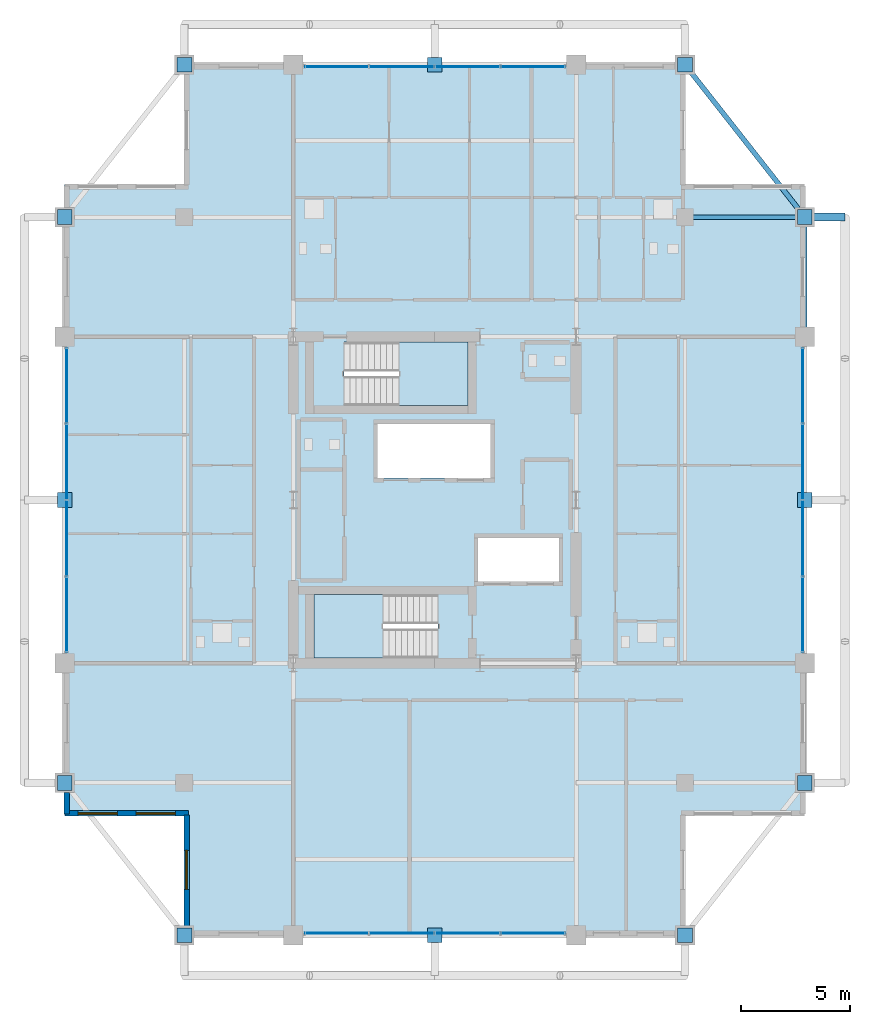
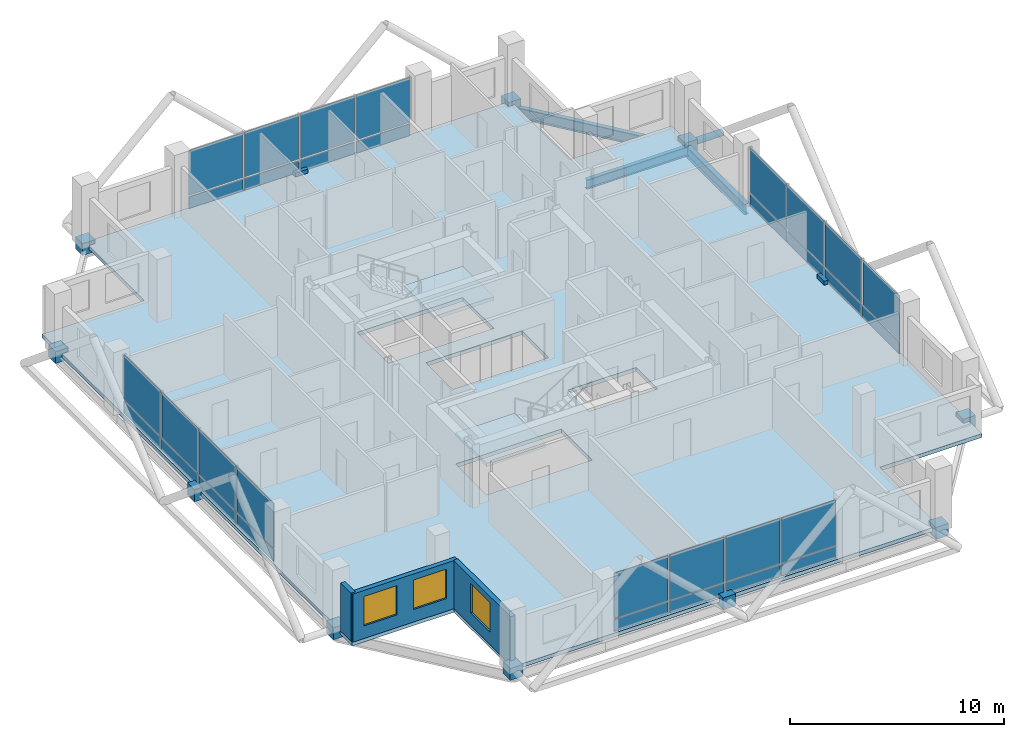
# One storey, part 18 of 24: 44 plates, 3 beams, 3 slabs, 3 walls, 3 windows, 1 member, 3 openings, 6 elements without a shape of their own.
"""IFC4 building model written with IfcOpenShell, lengths in metres."""

from ifc_helpers import new_model, si_unit, direction, frame, frame_2d, origin, origin_2d, place, context, subcontext, project, spatial, polyline, rectangle, hollow_circle, i_section, outline, extrude, material, layer, layer_set, material_profile, profile_set, type_object, element, fill, aggregate, save


model = new_model("IFC4")

# Units and contexts
model_context = context("Model", 3, precision=1e-05, world=origin(), true_north=direction((0.0, 1.0)))
body_context = subcontext(model_context, "Body", "Model", "MODEL_VIEW")
ifc_project = project(units=[si_unit("LENGTHUNIT", "METRE"), si_unit("AREAUNIT", "SQUARE_METRE"), si_unit("VOLUMEUNIT", "CUBIC_METRE"), si_unit("PLANEANGLEUNIT", "RADIAN"), si_unit("MASSUNIT", "GRAM", prefix="KILO")], contexts=[model_context])

# Site, building, storey
site_placement = place(None, origin())
site = spatial("IfcSite", under=ifc_project, at=site_placement, CompositionType="ELEMENT")
building_placement = place(site_placement, origin())
building = spatial("IfcBuilding", under=site, at=building_placement, Name="Barlavira Tower and Art Museum", CompositionType="ELEMENT")
storey_placement = place(building_placement, frame((0.0, 0.0, 251.10009765625)))
storey = spatial("IfcBuildingStorey", under=building, at=storey_placement, Name="L65", CompositionType="ELEMENT", Elevation=251.10009765625)

# Member
ifc_material_1 = material(Name="Steel S355", Category="steel")
ifc_material_profile_1 = material_profile(ifc_material_1, hollow_circle(Radius=0.177734375, WallThickness=0.01611328125, at=origin_2d()), Name="CHS 355.6x16.0")
ifc_profile_set_1 = profile_set([ifc_material_profile_1], Name="Steel S355")
member_type = type_object("IfcMemberType", Name="Pale-Metal Exoskeleton Tie Strut CHS 356x16 Steel S355", PredefinedType="STRUT", material=ifc_profile_set_1)
member_placement = place(storey_placement, frame((18.85009765625, 13.0, -0.1201171875), z_axis=(-1.0, 0.0, 0.0), x_axis=(0.0, -1.0, 0.0)))
element("IfcMember", 1, at=member_placement, inside=storey, type_object=member_type, Name="L65 Exoskeleton Tie Strut E3", PredefinedType="STRUT", context=body_context, shape_type="SweptSolid", body=[
    extrude(hollow_circle(Radius=0.177734375, WallThickness=0.01611328125, at=origin_2d()), origin(), (0.0, 0.0, 1.0), 1.85009765625),
])

# Beams
ifc_material_profile_2 = material_profile(ifc_material_1, i_section(OverallWidth=0.22998046875, OverallDepth=0.616943359375, WebThickness=0.01318359375, FlangeThickness=0.022216796875, at=origin_2d()), Name="W610x140.0")
ifc_profile_set_2 = profile_set([ifc_material_profile_2], Name="Steel S355")
beam_type_1 = type_object("IfcBeamType", Name="Upper Shaft Spandrel Edge Beam W610x140 Steel S355", PredefinedType="SPANDREL", material=ifc_profile_set_2)
beam_1_placement = place(storey_placement, frame((17.0, 7.5, -0.528564453125), z_axis=(0.0, 1.0, 0.0), x_axis=(-1.0, 0.0, 0.0)))
element("IfcBeam", 2, at=beam_1_placement, inside=storey, type_object=beam_type_1, Name="L65 Spandrel 7", PredefinedType="SPANDREL", context=body_context, shape_type="SweptSolid", body=[
    extrude(i_section(OverallWidth=0.22998046875, OverallDepth=0.616943359375, WebThickness=0.01318359375, FlangeThickness=0.022216796875, at=origin_2d()), origin(), (0.0, 0.0, 1.0), 5.5),
])
beam_2_placement = place(storey_placement, frame((17.0, 13.0, -0.528564453125), z_axis=(-0.617821551932, 0.786318338822, 0.0), x_axis=(-0.786318338822, -0.617821551932, 0.0)))
element("IfcBeam", 3, at=beam_2_placement, inside=storey, type_object=beam_type_1, Name="L65 Spandrel 8", PredefinedType="SPANDREL", context=body_context, shape_type="SweptSolid", body=[
    extrude(i_section(OverallWidth=0.22998046875, OverallDepth=0.616943359375, WebThickness=0.01318359375, FlangeThickness=0.022216796875, at=origin_2d()), origin(), (0.0, 0.0, 1.0), 8.90234375),
])
ifc_material_profile_3 = material_profile(ifc_material_1, i_section(OverallWidth=0.2109375, OverallDepth=0.5390625, WebThickness=0.01171875, FlangeThickness=0.018798828125, at=origin_2d()), Name="W530x109.0")
ifc_profile_set_3 = profile_set([ifc_material_profile_3], Name="Steel S355")
beam_type_2 = type_object("IfcBeamType", Name="Zone 3-4 Primary Floor Girder W530x109 Steel S355", PredefinedType="BEAM", material=ifc_profile_set_3)
beam_3_placement = place(storey_placement, frame((11.5, 13.0, -0.489501953125), z_axis=(1.0, 0.0, 0.0), x_axis=(0.0, 1.0, 0.0)))
element("IfcBeam", 4, at=beam_3_placement, inside=storey, type_object=beam_type_2, Name="L65 Girder I-N4", PredefinedType="BEAM", context=body_context, shape_type="SweptSolid", body=[
    extrude(i_section(OverallWidth=0.2109375, OverallDepth=0.5390625, WebThickness=0.01171875, FlangeThickness=0.018798828125, at=origin_2d()), origin(), (0.0, 0.0, 1.0), 5.5),
])

# Curtain wall, plates
ifc_material_2 = material(Name="Low-iron coastal laminated glass", Category="glass")
ifc_layer_1 = layer(ifc_material_2, 0.2099609375, Name="Low-iron coastal laminated glass")
ifc_layer_set_1 = layer_set([ifc_layer_1], Name="Low-iron coastal laminated glass")
curtain_wall_type = type_object("IfcCurtainWallType", Name="Pale-Metal Unitised Curtain Wall Zone 4", PredefinedType="NOTDEFINED", material=ifc_layer_set_1)
curtain_wall_1_placement = place(storey_placement, origin())
curtain_wall_1 = element("IfcCurtainWall", 5, at=curtain_wall_1_placement, inside=storey, type_object=curtain_wall_type, Name="L65 Curtain Wall CW4-L65-S-B2", PredefinedType="NOTDEFINED")
ifc_material_3 = material(Name="Pale anodised aluminium", Category="aluminium")
ifc_layer_2 = layer(ifc_material_3, 0.044921875, Name="Pale anodised aluminium")
ifc_layer_set_2 = layer_set([ifc_layer_2], Name="Pale anodised aluminium")
plate_type_1 = type_object("IfcPlateType", Name="Curtain Wall Pale-Metal Spandrel Panel 45", PredefinedType="CURTAIN_PANEL", material=ifc_layer_set_2)
plate_1_placement = place(storey_placement, frame((-4.5224609375, -19.89990234375, 0.039794921875), z_axis=(0.0, 0.0, 1.0), x_axis=(1.0, 0.0, 0.0)))
plate_1 = element("IfcPlate", 6, at=plate_1_placement, type_object=plate_type_1, Name="CW4-L65-S-B2 Spandrel Panel 0", PredefinedType="CURTAIN_PANEL", context=body_context, shape_type="SweptSolid", body=[
    extrude(rectangle(XDim=2.9150390625, YDim=0.044921875, at=origin_2d()), origin(), (0.0, 0.0, 1.0), 0.6640625),
])
plate_2_placement = place(storey_placement, frame((-1.507568359375, -19.89990234375, 0.039794921875), z_axis=(0.0, 0.0, 1.0), x_axis=(1.0, 0.0, 0.0)))
plate_2 = element("IfcPlate", 7, at=plate_2_placement, type_object=plate_type_1, Name="CW4-L65-S-B2 Spandrel Panel 1", PredefinedType="CURTAIN_PANEL", context=body_context, shape_type="SweptSolid", body=[
    extrude(rectangle(XDim=2.9150390625, YDim=0.044921875, at=origin_2d()), origin(), (0.0, 0.0, 1.0), 0.6640625),
])
plate_3_placement = place(storey_placement, frame((1.507568359375, -19.89990234375, 0.039794921875), z_axis=(0.0, 0.0, 1.0), x_axis=(1.0, 0.0, 0.0)))
plate_3 = element("IfcPlate", 8, at=plate_3_placement, type_object=plate_type_1, Name="CW4-L65-S-B2 Spandrel Panel 2", PredefinedType="CURTAIN_PANEL", context=body_context, shape_type="SweptSolid", body=[
    extrude(rectangle(XDim=2.9150390625, YDim=0.044921875, at=origin_2d()), origin(), (0.0, 0.0, 1.0), 0.6640625),
])
plate_4_placement = place(storey_placement, frame((4.5224609375, -19.89990234375, 0.039794921875), z_axis=(0.0, 0.0, 1.0), x_axis=(1.0, 0.0, 0.0)))
plate_4 = element("IfcPlate", 9, at=plate_4_placement, type_object=plate_type_1, Name="CW4-L65-S-B2 Spandrel Panel 3", PredefinedType="CURTAIN_PANEL", context=body_context, shape_type="SweptSolid", body=[
    extrude(rectangle(XDim=2.9150390625, YDim=0.044921875, at=origin_2d()), origin(), (0.0, 0.0, 1.0), 0.6640625),
])

curtain_wall_2_placement = place(storey_placement, origin())
curtain_wall_2 = element("IfcCurtainWall", 10, at=curtain_wall_2_placement, inside=storey, type_object=curtain_wall_type, Name="L65 Curtain Wall CW4-L65-N-B2", PredefinedType="NOTDEFINED")
plate_5_placement = place(storey_placement, frame((4.5224609375, 19.89990234375, 0.039794921875), z_axis=(0.0, 0.0, 1.0), x_axis=(-1.0, 0.0, 0.0)))
plate_5 = element("IfcPlate", 11, at=plate_5_placement, type_object=plate_type_1, Name="CW4-L65-N-B2 Spandrel Panel 0", PredefinedType="CURTAIN_PANEL", context=body_context, shape_type="SweptSolid", body=[
    extrude(rectangle(XDim=2.9150390625, YDim=0.044921875, at=origin_2d()), origin(), (0.0, 0.0, 1.0), 0.6640625),
])
plate_6_placement = place(storey_placement, frame((1.507568359375, 19.89990234375, 0.039794921875), z_axis=(0.0, 0.0, 1.0), x_axis=(-1.0, 0.0, 0.0)))
plate_6 = element("IfcPlate", 12, at=plate_6_placement, type_object=plate_type_1, Name="CW4-L65-N-B2 Spandrel Panel 1", PredefinedType="CURTAIN_PANEL", context=body_context, shape_type="SweptSolid", body=[
    extrude(rectangle(XDim=2.9150390625, YDim=0.044921875, at=origin_2d()), origin(), (0.0, 0.0, 1.0), 0.6640625),
])
plate_7_placement = place(storey_placement, frame((-1.507568359375, 19.89990234375, 0.039794921875), z_axis=(0.0, 0.0, 1.0), x_axis=(-1.0, 0.0, 0.0)))
plate_7 = element("IfcPlate", 13, at=plate_7_placement, type_object=plate_type_1, Name="CW4-L65-N-B2 Spandrel Panel 2", PredefinedType="CURTAIN_PANEL", context=body_context, shape_type="SweptSolid", body=[
    extrude(rectangle(XDim=2.9150390625, YDim=0.044921875, at=origin_2d()), origin(), (0.0, 0.0, 1.0), 0.6640625),
])
plate_8_placement = place(storey_placement, frame((-4.5224609375, 19.89990234375, 0.039794921875), z_axis=(0.0, 0.0, 1.0), x_axis=(-1.0, 0.0, 0.0)))
plate_8 = element("IfcPlate", 14, at=plate_8_placement, type_object=plate_type_1, Name="CW4-L65-N-B2 Spandrel Panel 3", PredefinedType="CURTAIN_PANEL", context=body_context, shape_type="SweptSolid", body=[
    extrude(rectangle(XDim=2.9150390625, YDim=0.044921875, at=origin_2d()), origin(), (0.0, 0.0, 1.0), 0.6640625),
])

curtain_wall_3_placement = place(storey_placement, origin())
curtain_wall_3 = element("IfcCurtainWall", 15, at=curtain_wall_3_placement, inside=storey, type_object=curtain_wall_type, Name="L65 Curtain Wall CW4-L65-W-B3", PredefinedType="NOTDEFINED")
plate_9_placement = place(storey_placement, frame((-16.89990234375, 5.2724609375, 0.039794921875), z_axis=(0.0, 0.0, 1.0), x_axis=(0.0, -1.0, 0.0)))
plate_9 = element("IfcPlate", 16, at=plate_9_placement, type_object=plate_type_1, Name="CW4-L65-W-B3 Spandrel Panel 0", PredefinedType="CURTAIN_PANEL", context=body_context, shape_type="SweptSolid", body=[
    extrude(rectangle(XDim=3.4150390625, YDim=0.044921875, at=origin_2d()), origin(), (0.0, 0.0, 1.0), 0.6640625),
])
plate_10_placement = place(storey_placement, frame((-16.89990234375, 1.757568359375, 0.039794921875), z_axis=(0.0, 0.0, 1.0), x_axis=(0.0, -1.0, 0.0)))
plate_10 = element("IfcPlate", 17, at=plate_10_placement, type_object=plate_type_1, Name="CW4-L65-W-B3 Spandrel Panel 1", PredefinedType="CURTAIN_PANEL", context=body_context, shape_type="SweptSolid", body=[
    extrude(rectangle(XDim=3.4150390625, YDim=0.044921875, at=origin_2d()), origin(), (0.0, 0.0, 1.0), 0.6640625),
])
plate_11_placement = place(storey_placement, frame((-16.89990234375, -1.757568359375, 0.039794921875), z_axis=(0.0, 0.0, 1.0), x_axis=(0.0, -1.0, 0.0)))
plate_11 = element("IfcPlate", 18, at=plate_11_placement, type_object=plate_type_1, Name="CW4-L65-W-B3 Spandrel Panel 2", PredefinedType="CURTAIN_PANEL", context=body_context, shape_type="SweptSolid", body=[
    extrude(rectangle(XDim=3.4150390625, YDim=0.044921875, at=origin_2d()), origin(), (0.0, 0.0, 1.0), 0.6640625),
])
plate_12_placement = place(storey_placement, frame((-16.89990234375, -5.2724609375, 0.039794921875), z_axis=(0.0, 0.0, 1.0), x_axis=(0.0, -1.0, 0.0)))
plate_12 = element("IfcPlate", 19, at=plate_12_placement, type_object=plate_type_1, Name="CW4-L65-W-B3 Spandrel Panel 3", PredefinedType="CURTAIN_PANEL", context=body_context, shape_type="SweptSolid", body=[
    extrude(rectangle(XDim=3.4150390625, YDim=0.044921875, at=origin_2d()), origin(), (0.0, 0.0, 1.0), 0.6640625),
])

curtain_wall_4_placement = place(storey_placement, origin())
curtain_wall_4 = element("IfcCurtainWall", 20, at=curtain_wall_4_placement, inside=storey, type_object=curtain_wall_type, Name="L65 Curtain Wall CW4-L65-E-B3", PredefinedType="NOTDEFINED")
plate_13_placement = place(storey_placement, frame((16.89990234375, -5.2724609375, 0.039794921875), z_axis=(0.0, 0.0, 1.0), x_axis=(0.0, 1.0, 0.0)))
plate_13 = element("IfcPlate", 21, at=plate_13_placement, type_object=plate_type_1, Name="CW4-L65-E-B3 Spandrel Panel 0", PredefinedType="CURTAIN_PANEL", context=body_context, shape_type="SweptSolid", body=[
    extrude(rectangle(XDim=3.4150390625, YDim=0.044921875, at=origin_2d()), origin(), (0.0, 0.0, 1.0), 0.6640625),
])
plate_14_placement = place(storey_placement, frame((16.89990234375, -1.757568359375, 0.039794921875), z_axis=(0.0, 0.0, 1.0), x_axis=(0.0, 1.0, 0.0)))
plate_14 = element("IfcPlate", 22, at=plate_14_placement, type_object=plate_type_1, Name="CW4-L65-E-B3 Spandrel Panel 1", PredefinedType="CURTAIN_PANEL", context=body_context, shape_type="SweptSolid", body=[
    extrude(rectangle(XDim=3.4150390625, YDim=0.044921875, at=origin_2d()), origin(), (0.0, 0.0, 1.0), 0.6640625),
])
plate_15_placement = place(storey_placement, frame((16.89990234375, 1.757568359375, 0.039794921875), z_axis=(0.0, 0.0, 1.0), x_axis=(0.0, 1.0, 0.0)))
plate_15 = element("IfcPlate", 23, at=plate_15_placement, type_object=plate_type_1, Name="CW4-L65-E-B3 Spandrel Panel 2", PredefinedType="CURTAIN_PANEL", context=body_context, shape_type="SweptSolid", body=[
    extrude(rectangle(XDim=3.4150390625, YDim=0.044921875, at=origin_2d()), origin(), (0.0, 0.0, 1.0), 0.6640625),
])
plate_16_placement = place(storey_placement, frame((16.89990234375, 5.2724609375, 0.039794921875), z_axis=(0.0, 0.0, 1.0), x_axis=(0.0, 1.0, 0.0)))
plate_16 = element("IfcPlate", 24, at=plate_16_placement, type_object=plate_type_1, Name="CW4-L65-E-B3 Spandrel Panel 3", PredefinedType="CURTAIN_PANEL", context=body_context, shape_type="SweptSolid", body=[
    extrude(rectangle(XDim=3.4150390625, YDim=0.044921875, at=origin_2d()), origin(), (0.0, 0.0, 1.0), 0.6640625),
])

# Plate
ifc_layer_3 = layer(ifc_material_2, 0.028076171875, Name="Low-iron coastal laminated glass")
ifc_layer_set_3 = layer_set([ifc_layer_3], Name="Low-iron coastal laminated glass")
plate_type_2 = type_object("IfcPlateType", Name="Curtain Wall Vision Glazing Panel 28", PredefinedType="CURTAIN_PANEL", material=ifc_layer_set_3)
plate_17_placement = place(storey_placement, frame((-4.5224609375, -19.89990234375, 0.7841796875), z_axis=(0.0, 0.0, 1.0), x_axis=(1.0, 0.0, 0.0)))
plate_17 = element("IfcPlate", 25, at=plate_17_placement, type_object=plate_type_2, Name="CW4-L65-S-B2 Vision Glass Panel 0", PredefinedType="CURTAIN_PANEL", context=body_context, shape_type="SweptSolid", body=[
    extrude(rectangle(XDim=2.9150390625, YDim=0.028076171875, at=origin_2d()), origin(), (0.0, 0.0, 1.0), 2.555908203125),
])

plate_18_placement = place(storey_placement, frame((-1.507568359375, -19.89990234375, 0.7841796875), z_axis=(0.0, 0.0, 1.0), x_axis=(1.0, 0.0, 0.0)))
plate_18 = element("IfcPlate", 26, at=plate_18_placement, type_object=plate_type_2, Name="CW4-L65-S-B2 Vision Glass Panel 1", PredefinedType="CURTAIN_PANEL", context=body_context, shape_type="SweptSolid", body=[
    extrude(rectangle(XDim=2.9150390625, YDim=0.028076171875, at=origin_2d()), origin(), (0.0, 0.0, 1.0), 2.555908203125),
])

plate_19_placement = place(storey_placement, frame((1.507568359375, -19.89990234375, 0.7841796875), z_axis=(0.0, 0.0, 1.0), x_axis=(1.0, 0.0, 0.0)))
plate_19 = element("IfcPlate", 27, at=plate_19_placement, type_object=plate_type_2, Name="CW4-L65-S-B2 Vision Glass Panel 2", PredefinedType="CURTAIN_PANEL", context=body_context, shape_type="SweptSolid", body=[
    extrude(rectangle(XDim=2.9150390625, YDim=0.028076171875, at=origin_2d()), origin(), (0.0, 0.0, 1.0), 2.555908203125),
])

plate_20_placement = place(storey_placement, frame((4.5224609375, -19.89990234375, 0.7841796875), z_axis=(0.0, 0.0, 1.0), x_axis=(1.0, 0.0, 0.0)))
plate_20 = element("IfcPlate", 28, at=plate_20_placement, type_object=plate_type_2, Name="CW4-L65-S-B2 Vision Glass Panel 3", PredefinedType="CURTAIN_PANEL", context=body_context, shape_type="SweptSolid", body=[
    extrude(rectangle(XDim=2.9150390625, YDim=0.028076171875, at=origin_2d()), origin(), (0.0, 0.0, 1.0), 2.555908203125),
])

aggregate(curtain_wall_1, [plate_1, plate_17, plate_2, plate_18, plate_3, plate_19, plate_4, plate_20])

plate_21_placement = place(storey_placement, frame((4.5224609375, 19.89990234375, 0.7841796875), z_axis=(0.0, 0.0, 1.0), x_axis=(-1.0, 0.0, 0.0)))
plate_21 = element("IfcPlate", 29, at=plate_21_placement, type_object=plate_type_2, Name="CW4-L65-N-B2 Vision Glass Panel 0", PredefinedType="CURTAIN_PANEL", context=body_context, shape_type="SweptSolid", body=[
    extrude(rectangle(XDim=2.9150390625, YDim=0.028076171875, at=origin_2d()), origin(), (0.0, 0.0, 1.0), 2.555908203125),
])

plate_22_placement = place(storey_placement, frame((1.507568359375, 19.89990234375, 0.7841796875), z_axis=(0.0, 0.0, 1.0), x_axis=(-1.0, 0.0, 0.0)))
plate_22 = element("IfcPlate", 30, at=plate_22_placement, type_object=plate_type_2, Name="CW4-L65-N-B2 Vision Glass Panel 1", PredefinedType="CURTAIN_PANEL", context=body_context, shape_type="SweptSolid", body=[
    extrude(rectangle(XDim=2.9150390625, YDim=0.028076171875, at=origin_2d()), origin(), (0.0, 0.0, 1.0), 2.555908203125),
])

plate_23_placement = place(storey_placement, frame((-1.507568359375, 19.89990234375, 0.7841796875), z_axis=(0.0, 0.0, 1.0), x_axis=(-1.0, 0.0, 0.0)))
plate_23 = element("IfcPlate", 31, at=plate_23_placement, type_object=plate_type_2, Name="CW4-L65-N-B2 Vision Glass Panel 2", PredefinedType="CURTAIN_PANEL", context=body_context, shape_type="SweptSolid", body=[
    extrude(rectangle(XDim=2.9150390625, YDim=0.028076171875, at=origin_2d()), origin(), (0.0, 0.0, 1.0), 2.555908203125),
])

plate_24_placement = place(storey_placement, frame((-4.5224609375, 19.89990234375, 0.7841796875), z_axis=(0.0, 0.0, 1.0), x_axis=(-1.0, 0.0, 0.0)))
plate_24 = element("IfcPlate", 32, at=plate_24_placement, type_object=plate_type_2, Name="CW4-L65-N-B2 Vision Glass Panel 3", PredefinedType="CURTAIN_PANEL", context=body_context, shape_type="SweptSolid", body=[
    extrude(rectangle(XDim=2.9150390625, YDim=0.028076171875, at=origin_2d()), origin(), (0.0, 0.0, 1.0), 2.555908203125),
])

aggregate(curtain_wall_2, [plate_5, plate_21, plate_6, plate_22, plate_7, plate_23, plate_8, plate_24])

plate_25_placement = place(storey_placement, frame((-16.89990234375, 5.2724609375, 0.7841796875), z_axis=(0.0, 0.0, 1.0), x_axis=(0.0, -1.0, 0.0)))
plate_25 = element("IfcPlate", 33, at=plate_25_placement, type_object=plate_type_2, Name="CW4-L65-W-B3 Vision Glass Panel 0", PredefinedType="CURTAIN_PANEL", context=body_context, shape_type="SweptSolid", body=[
    extrude(rectangle(XDim=3.4150390625, YDim=0.028076171875, at=origin_2d()), origin(), (0.0, 0.0, 1.0), 2.555908203125),
])

plate_26_placement = place(storey_placement, frame((-16.89990234375, 1.757568359375, 0.7841796875), z_axis=(0.0, 0.0, 1.0), x_axis=(0.0, -1.0, 0.0)))
plate_26 = element("IfcPlate", 34, at=plate_26_placement, type_object=plate_type_2, Name="CW4-L65-W-B3 Vision Glass Panel 1", PredefinedType="CURTAIN_PANEL", context=body_context, shape_type="SweptSolid", body=[
    extrude(rectangle(XDim=3.4150390625, YDim=0.028076171875, at=origin_2d()), origin(), (0.0, 0.0, 1.0), 2.555908203125),
])

plate_27_placement = place(storey_placement, frame((-16.89990234375, -1.757568359375, 0.7841796875), z_axis=(0.0, 0.0, 1.0), x_axis=(0.0, -1.0, 0.0)))
plate_27 = element("IfcPlate", 35, at=plate_27_placement, type_object=plate_type_2, Name="CW4-L65-W-B3 Vision Glass Panel 2", PredefinedType="CURTAIN_PANEL", context=body_context, shape_type="SweptSolid", body=[
    extrude(rectangle(XDim=3.4150390625, YDim=0.028076171875, at=origin_2d()), origin(), (0.0, 0.0, 1.0), 2.555908203125),
])

plate_28_placement = place(storey_placement, frame((-16.89990234375, -5.2724609375, 0.7841796875), z_axis=(0.0, 0.0, 1.0), x_axis=(0.0, -1.0, 0.0)))
plate_28 = element("IfcPlate", 36, at=plate_28_placement, type_object=plate_type_2, Name="CW4-L65-W-B3 Vision Glass Panel 3", PredefinedType="CURTAIN_PANEL", context=body_context, shape_type="SweptSolid", body=[
    extrude(rectangle(XDim=3.4150390625, YDim=0.028076171875, at=origin_2d()), origin(), (0.0, 0.0, 1.0), 2.555908203125),
])

aggregate(curtain_wall_3, [plate_9, plate_25, plate_10, plate_26, plate_11, plate_27, plate_12, plate_28])

plate_29_placement = place(storey_placement, frame((16.89990234375, -5.2724609375, 0.7841796875), z_axis=(0.0, 0.0, 1.0), x_axis=(0.0, 1.0, 0.0)))
plate_29 = element("IfcPlate", 37, at=plate_29_placement, type_object=plate_type_2, Name="CW4-L65-E-B3 Vision Glass Panel 0", PredefinedType="CURTAIN_PANEL", context=body_context, shape_type="SweptSolid", body=[
    extrude(rectangle(XDim=3.4150390625, YDim=0.028076171875, at=origin_2d()), origin(), (0.0, 0.0, 1.0), 2.555908203125),
])

plate_30_placement = place(storey_placement, frame((16.89990234375, -1.757568359375, 0.7841796875), z_axis=(0.0, 0.0, 1.0), x_axis=(0.0, 1.0, 0.0)))
plate_30 = element("IfcPlate", 38, at=plate_30_placement, type_object=plate_type_2, Name="CW4-L65-E-B3 Vision Glass Panel 1", PredefinedType="CURTAIN_PANEL", context=body_context, shape_type="SweptSolid", body=[
    extrude(rectangle(XDim=3.4150390625, YDim=0.028076171875, at=origin_2d()), origin(), (0.0, 0.0, 1.0), 2.555908203125),
])

plate_31_placement = place(storey_placement, frame((16.89990234375, 1.757568359375, 0.7841796875), z_axis=(0.0, 0.0, 1.0), x_axis=(0.0, 1.0, 0.0)))
plate_31 = element("IfcPlate", 39, at=plate_31_placement, type_object=plate_type_2, Name="CW4-L65-E-B3 Vision Glass Panel 2", PredefinedType="CURTAIN_PANEL", context=body_context, shape_type="SweptSolid", body=[
    extrude(rectangle(XDim=3.4150390625, YDim=0.028076171875, at=origin_2d()), origin(), (0.0, 0.0, 1.0), 2.555908203125),
])

plate_32_placement = place(storey_placement, frame((16.89990234375, 5.2724609375, 0.7841796875), z_axis=(0.0, 0.0, 1.0), x_axis=(0.0, 1.0, 0.0)))
plate_32 = element("IfcPlate", 40, at=plate_32_placement, type_object=plate_type_2, Name="CW4-L65-E-B3 Vision Glass Panel 3", PredefinedType="CURTAIN_PANEL", context=body_context, shape_type="SweptSolid", body=[
    extrude(rectangle(XDim=3.4150390625, YDim=0.028076171875, at=origin_2d()), origin(), (0.0, 0.0, 1.0), 2.555908203125),
])

aggregate(curtain_wall_4, [plate_13, plate_29, plate_14, plate_30, plate_15, plate_31, plate_16, plate_32])

# Plates
ifc_layer_4 = layer(ifc_material_1, 0.679931640625, Name="Steel S355")
ifc_layer_set_4 = layer_set([ifc_layer_4], Name="Steel S355")
plate_type_3 = type_object("IfcPlateType", Name="Exoskeleton Tie-Back Solid Cap Plate Assembly Type 5 Steel S355", PredefinedType="USERDEFINED", material=ifc_layer_set_4)
for number, where, z_axis, x_axis, name in (
    (41, (-11.5, -20.0, -0.4599609375), (0.0, 0.0, 1.0), (1.0, 0.0, 0.0), "Slab Edge Tie Cap Plate S1 ND-L65-0738"),
    (42, (0.0, -20.0, -0.4599609375), (0.0, 0.0, 1.0), (1.0, 0.0, 0.0), "Slab Edge Tie Cap Plate S2 ND-L65-0739"),
    (43, (11.5, -20.0, -0.4599609375), (0.0, 0.0, 1.0), (1.0, 0.0, 0.0), "Slab Edge Tie Cap Plate S3 ND-L65-0740"),
    (44, (-11.5, 20.0, -0.4599609375), (0.0, 0.0, 1.0), (1.0, 0.0, 0.0), "Slab Edge Tie Cap Plate N1 ND-L65-0746"),
    (45, (0.0, 20.0, -0.4599609375), (0.0, 0.0, 1.0), (1.0, 0.0, 0.0), "Slab Edge Tie Cap Plate N2 ND-L65-0747"),
    (46, (11.5, 20.0, -0.4599609375), (0.0, 0.0, 1.0), (1.0, 0.0, 0.0), "Slab Edge Tie Cap Plate N3 ND-L65-0748"),
    (47, (-17.0, -13.0, -0.4599609375), (0.0, 0.0, 1.0), (1.0, 0.0, 0.0), "Slab Edge Tie Cap Plate W1 ND-L65-0754"),
    (48, (-17.0, 0.0, -0.4599609375), (0.0, 0.0, 1.0), (1.0, 0.0, 0.0), "Slab Edge Tie Cap Plate W2 ND-L65-0755"),
    (49, (-17.0, 13.0, -0.4599609375), (0.0, 0.0, 1.0), (1.0, 0.0, 0.0), "Slab Edge Tie Cap Plate W3 ND-L65-0756"),
    (50, (17.0, -13.0, -0.4599609375), (0.0, 0.0, 1.0), (1.0, 0.0, 0.0), "Slab Edge Tie Cap Plate E1 ND-L65-0762"),
    (51, (17.0, 0.0, -0.4599609375), (0.0, 0.0, 1.0), (1.0, 0.0, 0.0), "Slab Edge Tie Cap Plate E2 ND-L65-0763"),
    (52, (17.0, 13.0, -0.4599609375), (0.0, 0.0, 1.0), (1.0, 0.0, 0.0), "Slab Edge Tie Cap Plate E3 ND-L65-0764"),
):
    element("IfcPlate", number, at=place(storey_placement, frame(where, z_axis=z_axis, x_axis=x_axis)), inside=storey, type_object=plate_type_3, Name=name, ObjectType="FLANGE_PLATE", PredefinedType="USERDEFINED", context=body_context, shape_type="SweptSolid", body=[
        extrude(rectangle(XDim=0.679931640625, YDim=0.679931640625, at=origin_2d()), origin(), (0.0, 0.0, 1.0), 0.679931640625),
    ])

# Stair, slab
ifc_material_4 = material(Name="Concrete C45", Category="concrete")
stair_type_1 = type_object("IfcStairType", Name="Tower North Dog-Leg Exit Stair Assembly Concrete C45", PredefinedType="TWO_QUARTER_TURN_STAIR", material=ifc_material_4)
stair_1_placement = place(storey_placement, origin())
stair_1 = element("IfcStair", 53, at=stair_1_placement, inside=storey, type_object=stair_type_1, Name="L65 Tower North Exit Stair ST-T2", PredefinedType="TWO_QUARTER_TURN_STAIR")
ifc_layer_5 = layer(ifc_material_4, 0.199951171875, Name="Concrete C45")
ifc_layer_set_5 = layer_set([ifc_layer_5], Name="Concrete C45")
slab_type_1 = type_object("IfcSlabType", Name="Tower North Dog-Leg Exit Stair Half-Landing Slab 200 Concrete C45", PredefinedType="LANDING", material=ifc_layer_set_5)
slab_1_placement = place(storey_placement, frame((0.0, 0.0, 1.599853515625)))
slab_1 = element("IfcSlab", 54, at=slab_1_placement, type_object=slab_type_1, Name="ST-T2 landing 1", PredefinedType="LANDING", context=body_context, shape_type="SweptSolid", body=[
    extrude(outline(polyline([(-1.64990234375, 4.35009765625), (1.530029296875, 4.35009765625), (1.530029296875, 7.25), (-1.64990234375, 7.25), (-1.64990234375, 4.35009765625)])), origin(), (0.0, 0.0, 1.0), 0.199951171875),
])
aggregate(stair_1, [slab_1])

stair_type_2 = type_object("IfcStairType", Name="Tower South Dog-Leg Exit Stair Assembly Concrete C45", PredefinedType="TWO_QUARTER_TURN_STAIR", material=ifc_material_4)
stair_2_placement = place(storey_placement, origin())
stair_2 = element("IfcStair", 55, at=stair_2_placement, inside=storey, type_object=stair_type_2, Name="L65 Tower South Exit Stair ST-T1", PredefinedType="TWO_QUARTER_TURN_STAIR")
ifc_layer_6 = layer(ifc_material_4, 0.199951171875, Name="Concrete C45")
ifc_layer_set_6 = layer_set([ifc_layer_6], Name="Concrete C45")
slab_type_2 = type_object("IfcSlabType", Name="Tower South Dog-Leg Exit Stair Half-Landing Slab 200 Concrete C45", PredefinedType="LANDING", material=ifc_layer_set_6)
slab_2_placement = place(storey_placement, frame((0.0, 0.0, 1.599853515625)))
slab_2 = element("IfcSlab", 56, at=slab_2_placement, type_object=slab_type_2, Name="ST-T1 landing 1", PredefinedType="LANDING", context=body_context, shape_type="SweptSolid", body=[
    extrude(outline(polyline([(-2.3701171875, -4.35009765625), (-5.550048828125, -4.35009765625), (-5.550048828125, -7.25), (-2.3701171875, -7.25), (-2.3701171875, -4.35009765625)])), origin(), (0.0, 0.0, 1.0), 0.199951171875),
])
aggregate(stair_2, [slab_2])

# Slab
ifc_material_5 = material(Name="Concrete C50", Category="concrete")
ifc_layer_7 = layer(ifc_material_5, 0.18994140625, Name="Concrete C50")
ifc_layer_set_7 = layer_set([ifc_layer_7], Name="Concrete C50")
slab_type_3 = type_object("IfcSlabType", Name="Zone 4 Residential Composite Slab 190 Concrete C50", PredefinedType="FLOOR", material=ifc_layer_set_7)
slab_3_placement = place(storey_placement, frame((0.0, 0.0, -0.22021484375)))
element("IfcSlab", 57, at=slab_3_placement, inside=storey, type_object=slab_type_3, Name="L65 Tower Floor Slab", PredefinedType="FLOOR", context=body_context, shape_type="SweptSolid", body=[
    extrude(outline(polyline([(-11.5, -20.0), (11.5, -20.0), (11.5, -14.5), (17.0, -14.5), (17.0, 14.5), (11.5, 14.5), (11.5, 20.0), (-11.5, 20.0), (-11.5, 14.5), (-17.0, 14.5), (-17.0, -14.5), (-11.5, -14.5), (-11.5, -20.0)]), holes=[polyline([(0.14990234375, -4.35009765625), (-5.550048828125, -4.35009765625), (-5.550048828125, -7.25), (0.14990234375, -7.25), (0.14990234375, -4.35009765625)]), polyline([(-4.169921875, 4.35009765625), (1.530029296875, 4.35009765625), (1.530029296875, 7.25), (-4.169921875, 7.25), (-4.169921875, 4.35009765625)]), polyline([(-2.6201171875, 1.0), (2.56005859375, 1.0), (2.56005859375, 3.5), (-2.6201171875, 3.5), (-2.6201171875, 1.0)]), polyline([(2.0, -3.75), (5.699951171875, -3.75), (5.699951171875, -1.75), (2.0, -1.75), (2.0, -3.75)])]), origin(), (0.0, 0.0, 1.0), 0.22021484375),
])

# Wall
ifc_material_6 = material(Name="Precast concrete C40", Category="concrete")
ifc_layer_8 = layer(ifc_material_6, 0.25, Name="Precast concrete C40")
ifc_layer_set_8 = layer_set([ifc_layer_8], Name="Precast concrete C40")
wall_type = type_object("IfcWallType", Name="Notched Corner Spandrel Wall 250 Precast Concrete C40", PredefinedType="SOLIDWALL", material=ifc_layer_set_8)
wall_1_placement = place(storey_placement, frame((-16.89990234375, -13.445068359375, 0.0), z_axis=(0.0, 0.0, 1.0), x_axis=(0.0, -1.0, 0.0)))
element("IfcWall", 58, at=wall_1_placement, inside=storey, type_object=wall_type, Name="L65 Coastal Facade Pier Wall CW4-L65-W-5", PredefinedType="SOLIDWALL", context=body_context, shape_type="SweptSolid", body=[
    extrude(rectangle(XDim=0.97998046875, YDim=0.25, at=frame_2d((0.489990234375, 0.0))), origin(), (0.0, 0.0, 1.0), 2.747802734375),
])

# Wall, openings, windows
wall_2_placement = place(storey_placement, frame((-16.97998046875, -14.39990234375, 0.0), z_axis=(0.0, 0.0, 1.0), x_axis=(1.0, 0.0, 0.0)))
wall_2 = element("IfcWall", 59, at=wall_2_placement, inside=storey, type_object=wall_type, Name="L65 Notch Corner Wall SW1", PredefinedType="SOLIDWALL", context=body_context, shape_type="SweptSolid", body=[
    extrude(rectangle(XDim=5.659912109375, YDim=0.25, at=frame_2d((2.830078125, 0.0))), origin(), (0.0, 0.0, 1.0), 2.747802734375),
])
opening_1_placement = place(wall_2_placement, frame((0.594970703125, 0.0, 0.719970703125)))
opening_1 = element("IfcOpeningElement", 60, at=opening_1_placement, cuts=wall_2, Name="Opening WN-01", PredefinedType="OPENING", context=body_context, shape_type="SweptSolid", body=[
    extrude(rectangle(XDim=1.800048828125, YDim=1.679931640625, at=frame_2d((0.89990234375, 0.83984375))), frame((0.0, 0.135009765625, 0.0), z_axis=(0.0, -1.0, 0.0), x_axis=(1.0, 0.0, 0.0)), (0.0, 0.0, 1.0), 0.27001953125),
])
opening_2_placement = place(wall_2_placement, frame((3.264892578125, 0.0, 0.719970703125)))
opening_2 = element("IfcOpeningElement", 61, at=opening_2_placement, cuts=wall_2, Name="Opening WN-01", PredefinedType="OPENING", context=body_context, shape_type="SweptSolid", body=[
    extrude(rectangle(XDim=1.800048828125, YDim=1.679931640625, at=frame_2d((0.89990234375, 0.83984375))), frame((0.0, 0.135009765625, 0.0), z_axis=(0.0, -1.0, 0.0), x_axis=(1.0, 0.0, 0.0)), (0.0, 0.0, 1.0), 0.27001953125),
])
window_type = type_object("IfcWindowType", Name="Recessed Notch Corner Punch Window 1800x1680", PartitioningType="SINGLE_PANEL", PredefinedType="WINDOW", material=ifc_material_2)
window_1_placement = place(opening_1_placement, origin())
window_1 = element("IfcWindow", 62, at=window_1_placement, inside=storey, type_object=window_type, Name="L65 Punched Facade Window EW-NTC-L65-SW1-1", OverallHeight=1.679931640625, OverallWidth=1.800048828125, PartitioningType="SINGLE_PANEL", PredefinedType="WINDOW", context=body_context, shape_type="SweptSolid", body=[
    extrude(rectangle(XDim=1.800048828125, YDim=1.679931640625, at=frame_2d((0.89990234375, 0.83984375))), frame((0.0, 0.030029296875, 0.0), z_axis=(0.0, -1.0, 0.0), x_axis=(1.0, 0.0, 0.0)), (0.0, 0.0, 1.0), 0.06005859375),
])
fill(opening_1, window_1)
window_2_placement = place(opening_2_placement, origin())
window_2 = element("IfcWindow", 63, at=window_2_placement, inside=storey, type_object=window_type, Name="L65 Punched Facade Window EW-NTC-L65-SW1-2", OverallHeight=1.679931640625, OverallWidth=1.800048828125, PartitioningType="SINGLE_PANEL", PredefinedType="WINDOW", context=body_context, shape_type="SweptSolid", body=[
    extrude(rectangle(XDim=1.800048828125, YDim=1.679931640625, at=frame_2d((0.89990234375, 0.83984375))), frame((0.0, 0.030029296875, 0.0), z_axis=(0.0, -1.0, 0.0), x_axis=(1.0, 0.0, 0.0)), (0.0, 0.0, 1.0), 0.06005859375),
])
fill(opening_2, window_2)

# Wall, opening, window
wall_3_placement = place(storey_placement, frame((-11.39990234375, -14.47998046875, 0.0), z_axis=(0.0, 0.0, 1.0), x_axis=(0.0, -1.0, 0.0)))
wall_3 = element("IfcWall", 64, at=wall_3_placement, inside=storey, type_object=wall_type, Name="L65 Notch Corner Wall SW2", PredefinedType="SOLIDWALL", context=body_context, shape_type="SweptSolid", body=[
    extrude(rectangle(XDim=5.340087890625, YDim=0.25, at=frame_2d((2.669921875, 0.0))), origin(), (0.0, 0.0, 1.0), 2.747802734375),
])
opening_3_placement = place(wall_3_placement, frame((1.614990234375, 0.0, 0.719970703125)))
opening_3 = element("IfcOpeningElement", 65, at=opening_3_placement, cuts=wall_3, Name="Opening WN-01", PredefinedType="OPENING", context=body_context, shape_type="SweptSolid", body=[
    extrude(rectangle(XDim=1.800048828125, YDim=1.679931640625, at=frame_2d((0.89990234375, 0.83984375))), frame((0.0, 0.135009765625, 0.0), z_axis=(0.0, -1.0, 0.0), x_axis=(1.0, 0.0, 0.0)), (0.0, 0.0, 1.0), 0.27001953125),
])
window_3_placement = place(opening_3_placement, origin())
window_3 = element("IfcWindow", 66, at=window_3_placement, inside=storey, type_object=window_type, Name="L65 Punched Facade Window EW-NTC-L65-SW2-1", OverallHeight=1.679931640625, OverallWidth=1.800048828125, PartitioningType="SINGLE_PANEL", PredefinedType="WINDOW", context=body_context, shape_type="SweptSolid", body=[
    extrude(rectangle(XDim=1.800048828125, YDim=1.679931640625, at=frame_2d((0.89990234375, 0.83984375))), frame((0.0, 0.030029296875, 0.0), z_axis=(0.0, -1.0, 0.0), x_axis=(1.0, 0.0, 0.0)), (0.0, 0.0, 1.0), 0.06005859375),
])
fill(opening_3, window_3)

save(model, "model.ifc")
